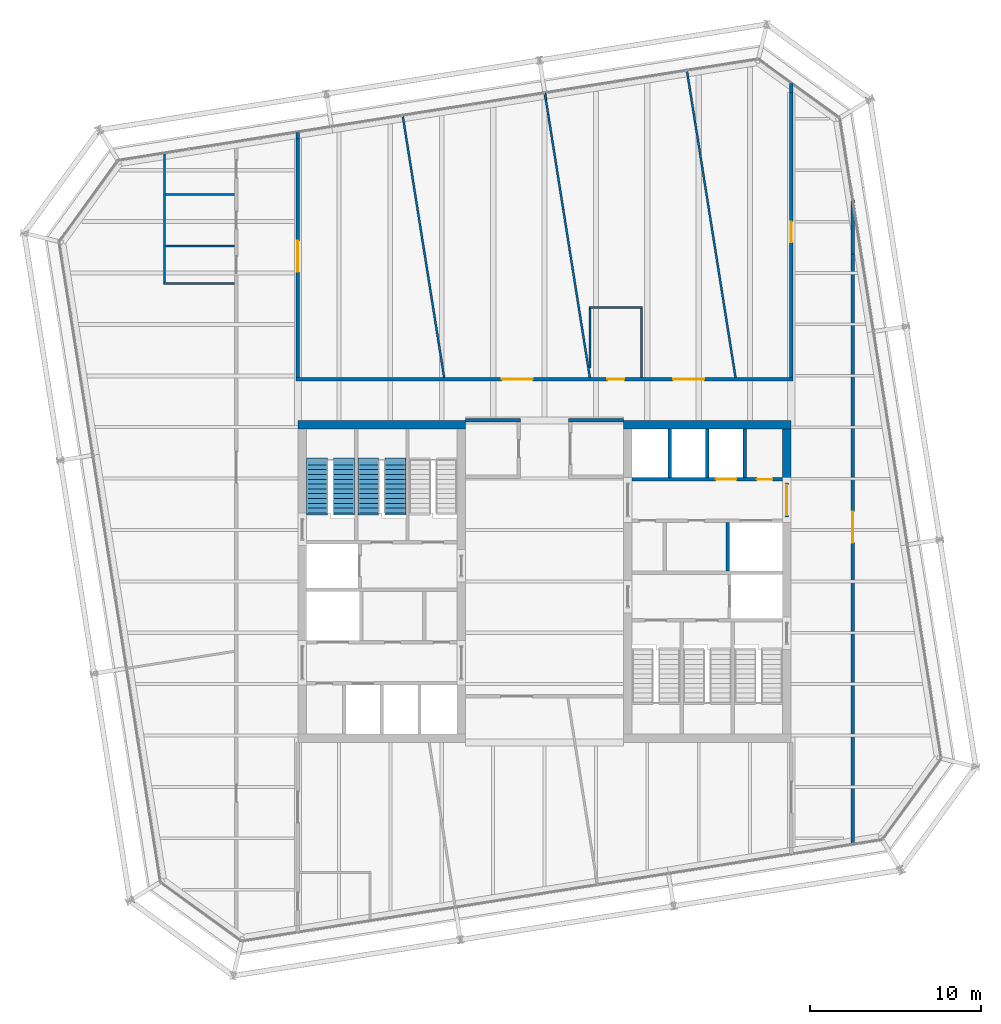
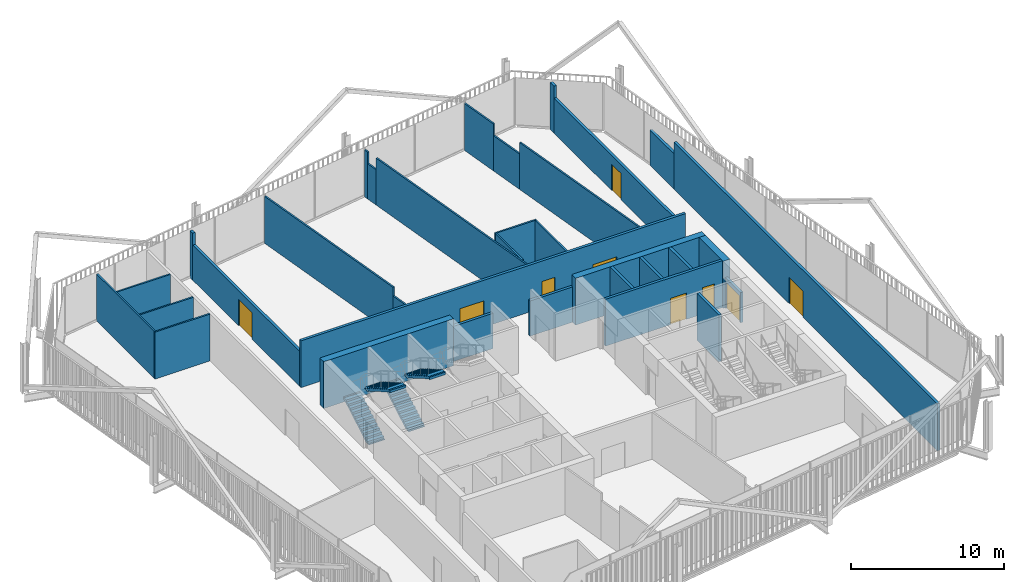
# One storey, part 19 of 21: 33 walls, 9 doors, 4 stair flights, 9 openings, 2 elements without a shape of their own.
"""IFC4 building model written with IfcOpenShell, lengths in metres."""

from ifc_helpers import new_model, si_unit, direction, frame, frame_2d, origin, place, context, subcontext, project, spatial, polyline, rectangle, outline, extrude, material, layer, layer_set, type_object, element, fill, aggregate, save


model = new_model("IFC4")

# Units and contexts
model_context = context("Model", 3, precision=1e-05, world=origin(), true_north=direction((0.0, 1.0)))
body_context = subcontext(model_context, "Body", "Model", "MODEL_VIEW")
ifc_project = project(units=[si_unit("LENGTHUNIT", "METRE"), si_unit("AREAUNIT", "SQUARE_METRE"), si_unit("VOLUMEUNIT", "CUBIC_METRE"), si_unit("PLANEANGLEUNIT", "RADIAN"), si_unit("MASSUNIT", "GRAM", prefix="KILO")], contexts=[model_context])

# Site, building, storey
site_placement = place(None, origin())
site = spatial("IfcSite", under=ifc_project, at=site_placement, CompositionType="ELEMENT")
building_placement = place(site_placement, origin())
building = spatial("IfcBuilding", under=site, at=building_placement, Name="Millrace Tower", CompositionType="ELEMENT")
storey_placement = place(building_placement, frame((0.0, 0.0, 247.39990234375)))
storey = spatial("IfcBuildingStorey", under=building, at=storey_placement, Name="L56", CompositionType="ELEMENT", Elevation=247.39990234375)

# Walls
ifc_material_1 = material(Name="Concrete C60", Category="concrete")
ifc_layer_1 = layer(ifc_material_1, 0.5)
ifc_layer_set_1 = layer_set([ifc_layer_1], Name="Concrete C60")
wall_type_1 = type_object("IfcWallType", Name="Core wall 500 Concrete C60", PredefinedType="SHEAR", material=ifc_layer_set_1)
for number, where, z_axis, x_axis, name in (
    (1, (-14.39990234375, 9.14990234375, 0.0), (0.0, 0.0, 1.0), (1.0, 0.0, 0.0), "Core wall W L56"),
    (2, (14.39990234375, 9.14990234375, 0.0), (0.0, 0.0, 1.0), (-1.0, 0.0, 0.0), "Core wall E L56"),
):
    element("IfcWall", number, at=place(storey_placement, frame(where, z_axis=z_axis, x_axis=x_axis)), inside=storey, type_object=wall_type_1, Name=name, PredefinedType="SHEAR", context=body_context, shape_type="SweptSolid", body=[
        extrude(rectangle(XDim=9.7998046875, YDim=0.5, at=frame_2d((4.89990234375, 0.0))), origin(), (0.0, 0.0, 1.0), 3.739990234375),
    ])
wall_1_placement = place(storey_placement, frame((14.14990234375, 8.89990234375, 0.0), z_axis=(0.0, 0.0, 1.0), x_axis=(0.0, -1.0, 0.0)))
element("IfcWall", 3, at=wall_1_placement, inside=storey, type_object=wall_type_1, Name="Core wall E L56", PredefinedType="SHEAR", context=body_context, shape_type="SweptSolid", body=[
    extrude(rectangle(XDim=3.14990234375, YDim=0.5, at=frame_2d((1.574951171875, 0.0))), origin(), (0.0, 0.0, 1.0), 3.739990234375),
])
ifc_material_2 = material(Name="Masonry partition, fire-rated", Category="masonry")
ifc_layer_2 = layer(ifc_material_2, 0.199951171875)
ifc_layer_set_2 = layer_set([ifc_layer_2], Name="Masonry partition, fire-rated")
wall_type_2 = type_object("IfcWallType", Name="Corridor wall 200", PredefinedType="PARTITIONING", material=ifc_layer_set_2)
for number, where, z_axis, x_axis, name in (
    (4, (-4.60009765625, 9.39990234375, 0.0), (0.0, 0.0, 1.0), (1.0, 0.0, 0.0), "Corridor wall L56"),
    (5, (1.39990234375, 9.39990234375, 0.0), (0.0, 0.0, 1.0), (1.0, 0.0, 0.0), "Corridor wall L56"),
):
    element("IfcWall", number, at=place(storey_placement, frame(where, z_axis=z_axis, x_axis=x_axis)), inside=storey, type_object=wall_type_2, Name=name, PredefinedType="PARTITIONING", context=body_context, shape_type="SweptSolid", body=[
        extrude(rectangle(XDim=3.2001953125, YDim=0.199951171875, at=frame_2d((1.60009765625, 0.0))), origin(), (0.0, 0.0, 1.0), 2.81298828125),
    ])

# Wall, openings, doors
wall_2_placement = place(storey_placement, frame((-14.5, 11.800048828125, 0.0), z_axis=(0.0, 0.0, 1.0), x_axis=(1.0, 0.0, 0.0)))
wall_2 = element("IfcWall", 6, at=wall_2_placement, inside=storey, type_object=wall_type_2, Name="Corridor wall L56", PredefinedType="PARTITIONING", context=body_context, shape_type="SweptSolid", body=[
    extrude(rectangle(XDim=29.0, YDim=0.199951171875, at=frame_2d((14.5, 0.0))), origin(), (0.0, 0.0, 1.0), 3.739990234375),
])
opening_1_placement = place(wall_2_placement, frame((12.009521484375, 0.0, 0.0)))
opening_1 = element("IfcOpeningElement", 7, at=opening_1_placement, cuts=wall_2, Name="Opening 56-P006", PredefinedType="OPENING", context=body_context, shape_type="SweptSolid", body=[
    extrude(rectangle(XDim=1.800048828125, YDim=2.10009765625, at=frame_2d((0.89990234375, 1.050048828125))), frame((0.0, 0.10986328125, 0.0), z_axis=(0.0, -1.0, 0.0), x_axis=(1.0, 0.0, 0.0)), (0.0, 0.0, 1.0), 0.219970703125),
])
opening_2_placement = place(wall_2_placement, frame((22.014404296875, 0.0, 0.0)))
opening_2 = element("IfcOpeningElement", 8, at=opening_2_placement, cuts=wall_2, Name="Opening 56-P007", PredefinedType="OPENING", context=body_context, shape_type="SweptSolid", body=[
    extrude(rectangle(XDim=1.800048828125, YDim=2.10009765625, at=frame_2d((0.89990234375, 1.050048828125))), frame((0.0, 0.10986328125, 0.0), z_axis=(0.0, -1.0, 0.0), x_axis=(1.0, 0.0, 0.0)), (0.0, 0.0, 1.0), 0.219970703125),
])
opening_3_placement = place(wall_2_placement, frame((18.162109375, 0.0, 0.0)))
opening_3 = element("IfcOpeningElement", 9, at=opening_3_placement, cuts=wall_2, Name="Opening 56-P008", PredefinedType="OPENING", context=body_context, shape_type="SweptSolid", body=[
    extrude(rectangle(XDim=1.0, YDim=2.10009765625, at=frame_2d((0.5, 1.050048828125))), frame((0.0, 0.10986328125, 0.0), z_axis=(0.0, -1.0, 0.0), x_axis=(1.0, 0.0, 0.0)), (0.0, 0.0, 1.0), 0.219970703125),
])
ifc_material_3 = material(Name="Steel door set, fire-rated", Category="steel")
door_type_1 = type_object("IfcDoorType", Name="Corridor door 1000 x 2100", OperationType="SINGLE_SWING_LEFT", PredefinedType="DOOR", material=ifc_material_3)
door_1_placement = place(opening_3_placement, origin())
door_1 = element("IfcDoor", 10, at=door_1_placement, inside=storey, type_object=door_type_1, Name="Door 56-P008", OperationType="SINGLE_SWING_RIGHT", OverallHeight=2.10009765625, OverallWidth=1.0, PredefinedType="DOOR", context=body_context, shape_type="SweptSolid", body=[
    extrude(rectangle(XDim=1.0, YDim=2.10009765625, at=frame_2d((0.5, 1.050048828125))), frame((0.0, 0.02490234375, 0.0), z_axis=(0.0, -1.0, 0.0), x_axis=(1.0, 0.0, 0.0)), (0.0, 0.0, 1.0), 0.050048828125),
])
fill(opening_3, door_1)
ifc_material_4 = material(Name="Steel door set, fire-rated", Category="steel")
door_type_2 = type_object("IfcDoorType", Name="Corridor door 1800 x 2100", OperationType="DOUBLE_DOOR_SINGLE_SWING", PredefinedType="DOOR", material=ifc_material_4)
door_2_placement = place(opening_1_placement, origin())
door_2 = element("IfcDoor", 11, at=door_2_placement, inside=storey, type_object=door_type_2, Name="Door 56-P006", OperationType="DOUBLE_DOOR_SINGLE_SWING", OverallHeight=2.10009765625, OverallWidth=1.800048828125, PredefinedType="DOOR", context=body_context, shape_type="SweptSolid", body=[
    extrude(rectangle(XDim=1.800048828125, YDim=2.10009765625, at=frame_2d((0.89990234375, 1.050048828125))), frame((0.0, 0.02490234375, 0.0), z_axis=(0.0, -1.0, 0.0), x_axis=(1.0, 0.0, 0.0)), (0.0, 0.0, 1.0), 0.050048828125),
])
fill(opening_1, door_2)
door_3_placement = place(opening_2_placement, origin())
door_3 = element("IfcDoor", 12, at=door_3_placement, inside=storey, type_object=door_type_2, Name="Door 56-P007", OperationType="DOUBLE_DOOR_SINGLE_SWING", OverallHeight=2.10009765625, OverallWidth=1.800048828125, PredefinedType="DOOR", context=body_context, shape_type="SweptSolid", body=[
    extrude(rectangle(XDim=1.800048828125, YDim=2.10009765625, at=frame_2d((0.89990234375, 1.050048828125))), frame((0.0, 0.02490234375, 0.0), z_axis=(0.0, -1.0, 0.0), x_axis=(1.0, 0.0, 0.0)), (0.0, 0.0, 1.0), 0.050048828125),
])
fill(opening_2, door_3)

# Wall, opening, door
wall_3_placement = place(storey_placement, frame((18.0, -15.304443359375, 0.0), z_axis=(0.0, 0.0, 1.0), x_axis=(0.0, 1.0, 0.0)))
wall_3 = element("IfcWall", 13, at=wall_3_placement, inside=storey, type_object=wall_type_2, Name="Corridor wall L56", PredefinedType="PARTITIONING", context=body_context, shape_type="SweptSolid", body=[
    extrude(rectangle(XDim=34.421630859375, YDim=0.199951171875, at=frame_2d((17.2109375, 0.0))), origin(), (0.0, 0.0, 1.0), 3.739990234375),
])
opening_4_placement = place(wall_3_placement, frame((17.56982421875, 0.0, 0.0)))
opening_4 = element("IfcOpeningElement", 14, at=opening_4_placement, cuts=wall_3, Name="Opening 56-P010", PredefinedType="OPENING", context=body_context, shape_type="SweptSolid", body=[
    extrude(rectangle(XDim=1.800048828125, YDim=2.10009765625, at=frame_2d((0.89990234375, 1.050048828125))), frame((0.0, 0.10986328125, 0.0), z_axis=(0.0, -1.0, 0.0), x_axis=(1.0, 0.0, 0.0)), (0.0, 0.0, 1.0), 0.219970703125),
])
door_4_placement = place(opening_4_placement, frame((1.800048828125, 0.0, 0.0), z_axis=(0.0, 0.0, 1.0), x_axis=(-1.0, 0.0, 0.0)))
door_4 = element("IfcDoor", 15, at=door_4_placement, inside=storey, type_object=door_type_2, Name="Door 56-P010", OperationType="DOUBLE_DOOR_SINGLE_SWING", OverallHeight=2.10009765625, OverallWidth=1.800048828125, PredefinedType="DOOR", context=body_context, shape_type="SweptSolid", body=[
    extrude(rectangle(XDim=1.800048828125, YDim=2.10009765625, at=frame_2d((0.89990234375, 1.050048828125))), frame((0.0, 0.02490234375, 0.0), z_axis=(0.0, -1.0, 0.0), x_axis=(1.0, 0.0, 0.0)), (0.0, 0.0, 1.0), 0.050048828125),
])
fill(opening_4, door_4)

# Wall
wall_4_placement = place(storey_placement, frame((18.0, 19.1171875, 0.0), z_axis=(0.0, 0.0, 1.0), x_axis=(0.0, 1.0, 0.0)))
element("IfcWall", 16, at=wall_4_placement, inside=storey, type_object=wall_type_2, Name="Corridor wall L56", PredefinedType="PARTITIONING", context=body_context, shape_type="SweptSolid", body=[
    extrude(rectangle(XDim=3.137451171875, YDim=0.199951171875, at=frame_2d((1.56884765625, 0.0))), origin(), (0.0, 0.0, 1.0), 2.81298828125),
])

# Wall, opening, door
wall_5_placement = place(storey_placement, frame((14.39990234375, 11.89990234375, 0.0), z_axis=(0.0, 0.0, 1.0), x_axis=(0.0, 1.0, 0.0)))
wall_5 = element("IfcWall", 17, at=wall_5_placement, inside=storey, type_object=wall_type_2, Name="Corridor wall L56", PredefinedType="PARTITIONING", context=body_context, shape_type="SweptSolid", body=[
    extrude(rectangle(XDim=16.640869140625, YDim=0.199951171875, at=frame_2d((8.3203125, 0.0))), origin(), (0.0, 0.0, 1.0), 2.792724609375),
])
opening_5_placement = place(wall_5_placement, frame((7.89794921875, 0.0, 0.0)))
opening_5 = element("IfcOpeningElement", 18, at=opening_5_placement, cuts=wall_5, Name="Opening 56-P009", PredefinedType="OPENING", context=body_context, shape_type="SweptSolid", body=[
    extrude(rectangle(XDim=1.199951171875, YDim=2.10009765625, at=frame_2d((0.60009765625, 1.050048828125))), frame((0.0, 0.10986328125, 0.0), z_axis=(0.0, -1.0, 0.0), x_axis=(1.0, 0.0, 0.0)), (0.0, 0.0, 1.0), 0.219970703125),
])
ifc_material_5 = material(Name="Steel door set, fire-rated", Category="steel")
door_type_3 = type_object("IfcDoorType", Name="Corridor door 1200 x 2100", OperationType="SINGLE_SWING_LEFT", PredefinedType="DOOR", material=ifc_material_5)
door_5_placement = place(opening_5_placement, origin())
door_5 = element("IfcDoor", 19, at=door_5_placement, inside=storey, type_object=door_type_3, Name="Door 56-P009", OperationType="SINGLE_SWING_LEFT", OverallHeight=2.10009765625, OverallWidth=1.199951171875, PredefinedType="DOOR", context=body_context, shape_type="SweptSolid", body=[
    extrude(rectangle(XDim=1.199951171875, YDim=2.10009765625, at=frame_2d((0.60009765625, 1.050048828125))), frame((0.0, 0.02490234375, 0.0), z_axis=(0.0, -1.0, 0.0), x_axis=(1.0, 0.0, 0.0)), (0.0, 0.0, 1.0), 0.050048828125),
])
fill(opening_5, door_5)

# Wall
wall_6_placement = place(storey_placement, frame((14.39990234375, 28.540771484375, 0.0), z_axis=(0.0, 0.0, 1.0), x_axis=(0.0, 1.0, 0.0)))
element("IfcWall", 20, at=wall_6_placement, inside=storey, type_object=wall_type_2, Name="Corridor wall L56", PredefinedType="PARTITIONING", context=body_context, shape_type="SweptSolid", body=[
    extrude(rectangle(XDim=0.51708984375, YDim=0.199951171875, at=frame_2d((0.258544921875, 0.0))), origin(), (0.0, 0.0, 1.0), 3.739990234375),
])

# Wall, opening, door
wall_7_placement = place(storey_placement, frame((-14.39990234375, 11.89990234375, 0.0), z_axis=(0.0, 0.0, 1.0), x_axis=(0.0, 1.0, 0.0)))
wall_7 = element("IfcWall", 21, at=wall_7_placement, inside=storey, type_object=wall_type_2, Name="Corridor wall L56", PredefinedType="PARTITIONING", context=body_context, shape_type="SweptSolid", body=[
    extrude(rectangle(XDim=13.94873046875, YDim=0.199951171875, at=frame_2d((6.974365234375, 0.0))), origin(), (0.0, 0.0, 1.0), 2.792724609375),
])
opening_6_placement = place(wall_7_placement, frame((6.174072265625, 0.0, 0.0)))
opening_6 = element("IfcOpeningElement", 22, at=opening_6_placement, cuts=wall_7, Name="Opening 56-P005", PredefinedType="OPENING", context=body_context, shape_type="SweptSolid", body=[
    extrude(rectangle(XDim=1.800048828125, YDim=2.10009765625, at=frame_2d((0.89990234375, 1.050048828125))), frame((0.0, 0.10986328125, 0.0), z_axis=(0.0, -1.0, 0.0), x_axis=(1.0, 0.0, 0.0)), (0.0, 0.0, 1.0), 0.219970703125),
])
door_6_placement = place(opening_6_placement, frame((1.800048828125, 0.0, 0.0), z_axis=(0.0, 0.0, 1.0), x_axis=(-1.0, 0.0, 0.0)))
door_6 = element("IfcDoor", 23, at=door_6_placement, inside=storey, type_object=door_type_2, Name="Door 56-P005", OperationType="DOUBLE_DOOR_SINGLE_SWING", OverallHeight=2.10009765625, OverallWidth=1.800048828125, PredefinedType="DOOR", context=body_context, shape_type="SweptSolid", body=[
    extrude(rectangle(XDim=1.800048828125, YDim=2.10009765625, at=frame_2d((0.89990234375, 1.050048828125))), frame((0.0, 0.02490234375, 0.0), z_axis=(0.0, -1.0, 0.0), x_axis=(1.0, 0.0, 0.0)), (0.0, 0.0, 1.0), 0.050048828125),
])
fill(opening_6, door_6)

# Wall
wall_8_placement = place(storey_placement, frame((-14.39990234375, 25.8486328125, 0.0), z_axis=(0.0, 0.0, 1.0), x_axis=(0.0, 1.0, 0.0)))
element("IfcWall", 24, at=wall_8_placement, inside=storey, type_object=wall_type_2, Name="Corridor wall L56", PredefinedType="PARTITIONING", context=body_context, shape_type="SweptSolid", body=[
    extrude(rectangle(XDim=0.349609375, YDim=0.199951171875, at=frame_2d((0.1748046875, 0.0))), origin(), (0.0, 0.0, 1.0), 3.739990234375),
])

# Wall, openings, doors
ifc_material_6 = material(Name="Masonry partition, fire-rated", Category="masonry")
ifc_layer_3 = layer(ifc_material_6, 0.199951171875)
ifc_layer_set_3 = layer_set([ifc_layer_3], Name="Masonry partition, fire-rated")
wall_type_3 = type_object("IfcWallType", Name="Lift shaft wall 200", PredefinedType="PARTITIONING", material=ifc_layer_set_3)
wall_9_placement = place(storey_placement, frame((13.89990234375, 5.949951171875, 0.0), z_axis=(0.0, 0.0, 1.0), x_axis=(-1.0, 0.0, 0.0)))
wall_9 = element("IfcWall", 25, at=wall_9_placement, inside=storey, type_object=wall_type_3, Name="Lift shaft wall E L56", PredefinedType="PARTITIONING", context=body_context, shape_type="SweptSolid", body=[
    extrude(rectangle(XDim=8.7998046875, YDim=0.199951171875, at=frame_2d((4.39990234375, 0.0))), origin(), (0.0, 0.0, 1.0), 3.739990234375),
])
opening_7_placement = place(wall_9_placement, frame((2.699951171875, 0.0, 0.0)))
opening_7 = element("IfcOpeningElement", 26, at=opening_7_placement, cuts=wall_9, Name="Opening 56-LD10", PredefinedType="OPENING", context=body_context, shape_type="SweptSolid", body=[
    extrude(rectangle(XDim=1.199951171875, YDim=2.10009765625, at=frame_2d((0.60009765625, 1.050048828125))), frame((0.0, 0.10986328125, 0.0), z_axis=(0.0, -1.0, 0.0), x_axis=(1.0, 0.0, 0.0)), (0.0, 0.0, 1.0), 0.219970703125),
])
opening_8_placement = place(wall_9_placement, frame((0.60009765625, 0.0, 0.0)))
opening_8 = element("IfcOpeningElement", 27, at=opening_8_placement, cuts=wall_9, Name="Opening 56-C014", PredefinedType="OPENING", context=body_context, shape_type="SweptSolid", body=[
    extrude(rectangle(XDim=0.89990234375, YDim=2.10009765625, at=frame_2d((0.449951171875, 1.050048828125))), frame((0.0, 0.10986328125, 0.0), z_axis=(0.0, -1.0, 0.0), x_axis=(1.0, 0.0, 0.0)), (0.0, 0.0, 1.0), 0.219970703125),
])
ifc_material_7 = material(Name="Stainless steel, fire-rated", Category="steel")
door_type_4 = type_object("IfcDoorType", Name="Lift landing door 1200 x 2100", OperationType="DOUBLE_DOOR_SLIDING", PredefinedType="DOOR", material=ifc_material_7)
door_7_placement = place(opening_7_placement, origin())
door_7 = element("IfcDoor", 28, at=door_7_placement, inside=storey, type_object=door_type_4, Name="Lift landing door LF10 L56", OperationType="DOUBLE_DOOR_SLIDING", OverallHeight=2.10009765625, OverallWidth=1.199951171875, PredefinedType="DOOR", context=body_context, shape_type="SweptSolid", body=[
    extrude(rectangle(XDim=1.199951171875, YDim=2.10009765625, at=frame_2d((0.60009765625, 1.050048828125))), frame((0.0, 0.02490234375, 0.0), z_axis=(0.0, -1.0, 0.0), x_axis=(1.0, 0.0, 0.0)), (0.0, 0.0, 1.0), 0.050048828125),
])
fill(opening_7, door_7)
ifc_material_8 = material(Name="Steel door, fire-rated", Category="steel")
door_type_5 = type_object("IfcDoorType", Name="Service room door 900 x 2100", OperationType="SINGLE_SWING_LEFT", PredefinedType="DOOR", material=ifc_material_8)
door_8_placement = place(opening_8_placement, frame((0.89990234375, 0.0, 0.0), z_axis=(0.0, 0.0, 1.0), x_axis=(-1.0, 0.0, 0.0)))
door_8 = element("IfcDoor", 29, at=door_8_placement, inside=storey, type_object=door_type_5, Name="Service room door 56-C014", OperationType="SINGLE_SWING_RIGHT", OverallHeight=2.10009765625, OverallWidth=0.89990234375, PredefinedType="DOOR", context=body_context, shape_type="SweptSolid", body=[
    extrude(rectangle(XDim=0.89990234375, YDim=2.10009765625, at=frame_2d((0.449951171875, 1.050048828125))), frame((0.0, 0.02490234375, 0.0), z_axis=(0.0, -1.0, 0.0), x_axis=(1.0, 0.0, 0.0)), (0.0, 0.0, 1.0), 0.050048828125),
])
fill(opening_8, door_8)

# Walls
for number, where, z_axis, x_axis, name in (
    (30, (11.699951171875, 8.89990234375, 0.0), (0.0, 0.0, 1.0), (0.0, -1.0, 0.0), "Lift shaft wall E L56"),
    (31, (9.5, 8.89990234375, 0.0), (0.0, 0.0, 1.0), (0.0, -1.0, 0.0), "Lift shaft wall E L56"),
    (32, (7.300048828125, 8.89990234375, 0.0), (0.0, 0.0, 1.0), (0.0, -1.0, 0.0), "Lift shaft wall E L56"),
    (33, (10.699951171875, 3.449951171875, 0.0), (0.0, 0.0, 1.0), (0.0, -1.0, 0.0), "Lift shaft wall E L56"),
):
    element("IfcWall", number, at=place(storey_placement, frame(where, z_axis=z_axis, x_axis=x_axis)), inside=storey, type_object=wall_type_3, Name=name, PredefinedType="PARTITIONING", context=body_context, shape_type="SweptSolid", body=[
        extrude(rectangle(XDim=2.849853515625, YDim=0.199951171875, at=frame_2d((1.4248046875, 0.0))), origin(), (0.0, 0.0, 1.0), 3.739990234375),
    ])

# Wall, opening, door
ifc_material_9 = material(Name="Masonry partition, fire-rated", Category="masonry")
ifc_layer_4 = layer(ifc_material_9, 0.199951171875)
ifc_layer_set_4 = layer_set([ifc_layer_4], Name="Masonry partition, fire-rated")
wall_type_4 = type_object("IfcWallType", Name="Lobby wall 200", PredefinedType="PARTITIONING", material=ifc_layer_set_4)
wall_10_placement = place(storey_placement, frame((14.14990234375, 5.75, 0.0), z_axis=(0.0, 0.0, 1.0), x_axis=(0.0, -1.0, 0.0)))
wall_10 = element("IfcWall", 34, at=wall_10_placement, inside=storey, type_object=wall_type_4, Name="Lobby wall E L56", PredefinedType="PARTITIONING", context=body_context, shape_type="SweptSolid", body=[
    extrude(rectangle(XDim=2.0, YDim=0.199951171875, at=frame_2d((1.0, 0.0))), origin(), (0.0, 0.0, 1.0), 2.400146484375),
])
opening_9_placement = place(wall_10_placement, frame((0.10009765625, 0.0, 0.0)))
opening_9 = element("IfcOpeningElement", 35, at=opening_9_placement, cuts=wall_10, Name="Opening 56-C010", PredefinedType="OPENING", context=body_context, shape_type="SweptSolid", body=[
    extrude(rectangle(XDim=1.800048828125, YDim=2.10009765625, at=frame_2d((0.89990234375, 1.050048828125))), frame((0.0, 0.10986328125, 0.0), z_axis=(0.0, -1.0, 0.0), x_axis=(1.0, 0.0, 0.0)), (0.0, 0.0, 1.0), 0.219970703125),
])
ifc_material_10 = material(Name="Steel door, fire-rated", Category="steel")
door_type_6 = type_object("IfcDoorType", Name="Lobby door 1800 x 2100", OperationType="DOUBLE_DOOR_SINGLE_SWING", PredefinedType="DOOR", material=ifc_material_10)
door_9_placement = place(opening_9_placement, origin())
door_9 = element("IfcDoor", 36, at=door_9_placement, inside=storey, type_object=door_type_6, Name="Lobby door 56-C010", OperationType="DOUBLE_DOOR_SINGLE_SWING", OverallHeight=2.10009765625, OverallWidth=1.800048828125, PredefinedType="DOOR", context=body_context, shape_type="SweptSolid", body=[
    extrude(rectangle(XDim=1.800048828125, YDim=2.10009765625, at=frame_2d((0.89990234375, 1.050048828125))), frame((0.0, 0.02490234375, 0.0), z_axis=(0.0, -1.0, 0.0), x_axis=(1.0, 0.0, 0.0)), (0.0, 0.0, 1.0), 0.050048828125),
])
fill(opening_9, door_9)

# Walls
ifc_material_11 = material(Name="Gypsum board partition")
ifc_layer_5 = layer(ifc_material_11, 0.1201171875)
ifc_layer_set_5 = layer_set([ifc_layer_5], Name="Gypsum board partition")
wall_type_5 = type_object("IfcWallType", Name="Partition wall 120", PredefinedType="PARTITIONING", material=ifc_layer_set_5)
wall_11_placement = place(storey_placement, frame((-8.27685546875, 27.16796875, 0.0), z_axis=(0.0, 0.0, 1.0), x_axis=(0.156426233908, -0.987689644243, 0.0)))
element("IfcWall", 37, at=wall_11_placement, inside=storey, type_object=wall_type_5, Name="Partition wall L56", PredefinedType="PARTITIONING", context=body_context, shape_type="SweptSolid", body=[
    extrude(rectangle(XDim=13.356689453125, YDim=0.1201171875, at=frame_2d((6.67822265625, 0.0))), origin(), (0.0, 0.0, 1.0), 3.739990234375),
])
wall_12_placement = place(storey_placement, frame((-6.1875, 13.9755859375, 0.0), z_axis=(0.0, 0.0, 1.0), x_axis=(0.15639182904, -0.987695092531, 0.0)))
element("IfcWall", 38, at=wall_12_placement, inside=storey, type_object=wall_type_5, Name="Partition wall L56", PredefinedType="PARTITIONING", context=body_context, shape_type="SweptSolid", body=[
    extrude(rectangle(XDim=2.102783203125, YDim=0.1201171875, at=frame_2d((1.05126953125, 0.0))), origin(), (0.0, 0.0, 1.0), 3.046630859375),
])
wall_13_placement = place(storey_placement, frame((0.020263671875, 28.482177734375, 0.0), z_axis=(0.0, 0.0, 1.0), x_axis=(0.155999489422, -0.987757135788, 0.0)))
element("IfcWall", 39, at=wall_13_placement, inside=storey, type_object=wall_type_5, Name="Partition wall L56", PredefinedType="PARTITIONING", context=body_context, shape_type="SweptSolid", body=[
    extrude(rectangle(XDim=0.339599609375, YDim=0.1201171875, at=frame_2d((0.169921875, 0.0))), origin(), (0.0, 0.0, 1.0), 3.739990234375),
])
wall_14_placement = place(storey_placement, frame((0.0732421875, 28.146728515625, 0.0), z_axis=(0.0, 0.0, 1.0), x_axis=(0.156454153155, -0.987685222103, 0.0)))
element("IfcWall", 40, at=wall_14_placement, inside=storey, type_object=wall_type_5, Name="Partition wall L56", PredefinedType="PARTITIONING", context=body_context, shape_type="SweptSolid", body=[
    extrude(rectangle(XDim=0.892578125, YDim=0.1201171875, at=frame_2d((0.4462890625, 0.0))), origin(), (0.0, 0.0, 1.0), 2.81298828125),
])
wall_15_placement = place(storey_placement, frame((0.212890625, 27.26513671875, 0.0), z_axis=(0.0, 0.0, 1.0), x_axis=(0.156405760939, -0.987692886451, 0.0)))
element("IfcWall", 41, at=wall_15_placement, inside=storey, type_object=wall_type_5, Name="Partition wall L56", PredefinedType="PARTITIONING", context=body_context, shape_type="SweptSolid", body=[
    extrude(rectangle(XDim=15.557861328125, YDim=0.1201171875, at=frame_2d((7.77880859375, 0.0))), origin(), (0.0, 0.0, 1.0), 3.739990234375),
])
wall_16_placement = place(storey_placement, frame((8.316162109375, 29.796142578125, 0.0), z_axis=(0.0, 0.0, 1.0), x_axis=(0.156487443133, -0.987679948233, 0.0)))
element("IfcWall", 42, at=wall_16_placement, inside=storey, type_object=wall_type_5, Name="Partition wall L56", PredefinedType="PARTITIONING", context=body_context, shape_type="SweptSolid", body=[
    extrude(rectangle(XDim=3.009521484375, YDim=0.1201171875, at=frame_2d((1.5048828125, 0.0))), origin(), (0.0, 0.0, 1.0), 3.739990234375),
])
wall_17_placement = place(storey_placement, frame((8.787109375, 26.82373046875, 0.0), z_axis=(0.0, 0.0, 1.0), x_axis=(0.156436996348, -0.987687939672, 0.0)))
element("IfcWall", 43, at=wall_17_placement, inside=storey, type_object=wall_type_5, Name="Partition wall L56", PredefinedType="PARTITIONING", context=body_context, shape_type="SweptSolid", body=[
    extrude(rectangle(XDim=2.7216796875, YDim=0.1201171875, at=frame_2d((1.36083984375, 0.0))), origin(), (0.0, 0.0, 1.0), 2.81298828125),
])
wall_18_placement = place(storey_placement, frame((9.212890625, 24.135498046875, 0.0), z_axis=(0.0, 0.0, 1.0), x_axis=(0.156462436553, -0.987683909937, 0.0)))
element("IfcWall", 44, at=wall_18_placement, inside=storey, type_object=wall_type_5, Name="Partition wall L56", PredefinedType="PARTITIONING", context=body_context, shape_type="SweptSolid", body=[
    extrude(rectangle(XDim=12.389404296875, YDim=0.1201171875, at=frame_2d((6.19482421875, 0.0))), origin(), (0.0, 0.0, 1.0), 3.739990234375),
])
wall_19_placement = place(storey_placement, frame((2.60205078125, 16.0, 0.0), z_axis=(0.0, 0.0, 1.0), x_axis=(1.0, 0.0, 0.0)))
element("IfcWall", 45, at=wall_19_placement, inside=storey, type_object=wall_type_5, Name="Partition wall L56", PredefinedType="PARTITIONING", context=body_context, shape_type="SweptSolid", body=[
    extrude(rectangle(XDim=3.119873046875, YDim=0.1201171875, at=frame_2d((1.56005859375, 0.0))), origin(), (0.0, 0.0, 1.0), 3.739990234375),
])
wall_20_placement = place(storey_placement, frame((-22.260009765625, 17.376953125, 0.0), z_axis=(0.0, 0.0, 1.0), x_axis=(1.0, 0.0, 0.0)))
element("IfcWall", 46, at=wall_20_placement, inside=storey, type_object=wall_type_5, Name="Partition wall L56", PredefinedType="PARTITIONING", context=body_context, shape_type="SweptSolid", body=[
    extrude(rectangle(XDim=4.159912109375, YDim=0.1201171875, at=frame_2d((2.080078125, 0.0))), origin(), (0.0, 0.0, 1.0), 3.739990234375),
])
for number, where, z_axis, x_axis, name in (
    (47, (-22.139892578125, 19.576904296875, 0.0), (0.0, 0.0, 1.0), (1.0, 0.0, 0.0), "Partition wall L56"),
    (48, (-22.139892578125, 22.576904296875, 0.0), (0.0, 0.0, 1.0), (1.0, 0.0, 0.0), "Partition wall L56"),
):
    element("IfcWall", number, at=place(storey_placement, frame(where, z_axis=z_axis, x_axis=x_axis)), inside=storey, type_object=wall_type_5, Name=name, PredefinedType="PARTITIONING", context=body_context, shape_type="SweptSolid", body=[
        extrude(rectangle(XDim=4.039794921875, YDim=0.1201171875, at=frame_2d((2.02001953125, 0.0))), origin(), (0.0, 0.0, 1.0), 3.739990234375),
    ])
wall_21_placement = place(storey_placement, frame((5.662109375, 11.89990234375, 0.0), z_axis=(0.0, 0.0, 1.0), x_axis=(0.0, 1.0, 0.0)))
element("IfcWall", 49, at=wall_21_placement, inside=storey, type_object=wall_type_5, Name="Partition wall L56", PredefinedType="PARTITIONING", context=body_context, shape_type="SweptSolid", body=[
    extrude(rectangle(XDim=4.0400390625, YDim=0.1201171875, at=frame_2d((2.02001953125, 0.0))), origin(), (0.0, 0.0, 1.0), 3.739990234375),
])
wall_22_placement = place(storey_placement, frame((2.662109375, 12.4677734375, 0.0), z_axis=(0.0, 0.0, 1.0), x_axis=(0.0, 1.0, 0.0)))
element("IfcWall", 50, at=wall_22_placement, inside=storey, type_object=wall_type_5, Name="Partition wall L56", PredefinedType="PARTITIONING", context=body_context, shape_type="SweptSolid", body=[
    extrude(rectangle(XDim=3.47216796875, YDim=0.1201171875, at=frame_2d((1.736083984375, 0.0))), origin(), (0.0, 0.0, 1.0), 3.739990234375),
])
wall_23_placement = place(storey_placement, frame((-22.199951171875, 17.43701171875, 0.0), z_axis=(0.0, 0.0, 1.0), x_axis=(0.0, 1.0, 0.0)))
element("IfcWall", 51, at=wall_23_placement, inside=storey, type_object=wall_type_5, Name="Partition wall L56", PredefinedType="PARTITIONING", context=body_context, shape_type="SweptSolid", body=[
    extrude(rectangle(XDim=7.525634765625, YDim=0.1201171875, at=frame_2d((3.7626953125, 0.0))), origin(), (0.0, 0.0, 1.0), 3.739990234375),
])

# Stair, stair flights
ifc_material_12 = material(Name="Concrete C35", Category="concrete")
stair_type = type_object("IfcStairType", Name="Exit stair", PredefinedType="HALF_TURN_STAIR", material=ifc_material_12)
placement = place(storey_placement, origin())
stair_1 = element("IfcStair", 52, at=placement, inside=storey, type_object=stair_type, Name="Stair 1 W L56", PredefinedType="HALF_TURN_STAIR")
ifc_material_13 = material(Name="Concrete C35", Category="concrete")
stair_flight_type = type_object("IfcStairFlightType", Name="Exit stair flight", PredefinedType="STRAIGHT", material=ifc_material_13)
stair_flight_1_placement = place(storey_placement, frame((-13.2900390625, 4.0, 0.0), z_axis=(0.0, 0.0, 1.0), x_axis=(0.0, 1.0, 0.0)))
stair_flight_1 = element("IfcStairFlight", 53, at=stair_flight_1_placement, type_object=stair_flight_type, Name="ST12 flight 1", NumberOfRisers=12, NumberOfTreads=11, PredefinedType="STRAIGHT", RiserHeight=0.1625, TreadLength=0.28, context=body_context, shape_type="SweptSolid", body=[
    extrude(outline(polyline([(-0.1201171875, -0.0400390625), (-0.1201171875, 0.0), (0.0, 0.0), (0.0, 0.16259765625), (0.280029296875, 0.16259765625), (0.280029296875, 0.324951171875), (0.56005859375, 0.324951171875), (0.56005859375, 0.487548828125), (0.840087890625, 0.487548828125), (0.840087890625, 0.64990234375), (1.1201171875, 0.64990234375), (1.1201171875, 0.8125), (1.39990234375, 0.8125), (1.39990234375, 0.97509765625), (1.679931640625, 0.97509765625), (1.679931640625, 1.137451171875), (1.9599609375, 1.137451171875), (1.9599609375, 1.300048828125), (2.239990234375, 1.300048828125), (2.239990234375, 1.46240234375), (2.52001953125, 1.46240234375), (2.52001953125, 1.625), (2.800048828125, 1.625), (2.800048828125, 1.78759765625), (3.080078125, 1.78759765625), (3.080078125, 1.8076171875), (3.199951171875, 1.8076171875), (3.199951171875, 1.6142578125), (3.080078125, 1.6142578125), (0.298583984375, 0.0), (0.298583984375, -0.0400390625), (-0.1201171875, -0.0400390625)])), frame((0.0, 0.60986328125, 0.0), z_axis=(0.0, -1.0, 0.0), x_axis=(1.0, 0.0, 0.0)), (0.0, 0.0, 1.0), 1.219970703125),
])
stair_flight_2_placement = place(storey_placement, frame((-11.7099609375, 7.080078125, 1.9501953125), z_axis=(0.0, 0.0, 1.0), x_axis=(0.0, -1.0, 0.0)))
stair_flight_2 = element("IfcStairFlight", 54, at=stair_flight_2_placement, type_object=stair_flight_type, Name="ST12 flight 2", NumberOfRisers=12, NumberOfTreads=11, PredefinedType="STRAIGHT", RiserHeight=0.1625, TreadLength=0.28, context=body_context, shape_type="SweptSolid", body=[
    extrude(outline(polyline([(-0.1201171875, -0.0400390625), (-0.1201171875, 0.0), (0.0, 0.0), (0.0, 0.16259765625), (0.280029296875, 0.16259765625), (0.280029296875, 0.324951171875), (0.56005859375, 0.324951171875), (0.56005859375, 0.487548828125), (0.840087890625, 0.487548828125), (0.840087890625, 0.64990234375), (1.1201171875, 0.64990234375), (1.1201171875, 0.8125), (1.39990234375, 0.8125), (1.39990234375, 0.97509765625), (1.679931640625, 0.97509765625), (1.679931640625, 1.137451171875), (1.9599609375, 1.137451171875), (1.9599609375, 1.300048828125), (2.239990234375, 1.300048828125), (2.239990234375, 1.46240234375), (2.52001953125, 1.46240234375), (2.52001953125, 1.625), (2.800048828125, 1.625), (2.800048828125, 1.78759765625), (3.080078125, 1.78759765625), (3.080078125, 1.8076171875), (3.199951171875, 1.8076171875), (3.199951171875, 1.6142578125), (3.080078125, 1.6142578125), (0.298583984375, 0.0), (0.298583984375, -0.0400390625), (-0.1201171875, -0.0400390625)])), frame((0.0, 0.60986328125, 0.0), z_axis=(0.0, -1.0, 0.0), x_axis=(1.0, 0.0, 0.0)), (0.0, 0.0, 1.0), 1.219970703125),
])
aggregate(stair_1, [stair_flight_1, stair_flight_2])

stair_2 = element("IfcStair", 55, at=placement, inside=storey, type_object=stair_type, Name="Stair 2 W L56", PredefinedType="HALF_TURN_STAIR")
stair_flight_3_placement = place(storey_placement, frame((-10.2900390625, 4.0, 0.0), z_axis=(0.0, 0.0, 1.0), x_axis=(0.0, 1.0, 0.0)))
stair_flight_3 = element("IfcStairFlight", 56, at=stair_flight_3_placement, type_object=stair_flight_type, Name="ST12 flight 1", NumberOfRisers=12, NumberOfTreads=11, PredefinedType="STRAIGHT", RiserHeight=0.1625, TreadLength=0.28, context=body_context, shape_type="SweptSolid", body=[
    extrude(outline(polyline([(-0.1201171875, -0.0400390625), (-0.1201171875, 0.0), (0.0, 0.0), (0.0, 0.16259765625), (0.280029296875, 0.16259765625), (0.280029296875, 0.324951171875), (0.56005859375, 0.324951171875), (0.56005859375, 0.487548828125), (0.840087890625, 0.487548828125), (0.840087890625, 0.64990234375), (1.1201171875, 0.64990234375), (1.1201171875, 0.8125), (1.39990234375, 0.8125), (1.39990234375, 0.97509765625), (1.679931640625, 0.97509765625), (1.679931640625, 1.137451171875), (1.9599609375, 1.137451171875), (1.9599609375, 1.300048828125), (2.239990234375, 1.300048828125), (2.239990234375, 1.46240234375), (2.52001953125, 1.46240234375), (2.52001953125, 1.625), (2.800048828125, 1.625), (2.800048828125, 1.78759765625), (3.080078125, 1.78759765625), (3.080078125, 1.8076171875), (3.199951171875, 1.8076171875), (3.199951171875, 1.6142578125), (3.080078125, 1.6142578125), (0.298583984375, 0.0), (0.298583984375, -0.0400390625), (-0.1201171875, -0.0400390625)])), frame((0.0, 0.60986328125, 0.0), z_axis=(0.0, -1.0, 0.0), x_axis=(1.0, 0.0, 0.0)), (0.0, 0.0, 1.0), 1.219970703125),
])
stair_flight_4_placement = place(storey_placement, frame((-8.7099609375, 7.080078125, 1.9501953125), z_axis=(0.0, 0.0, 1.0), x_axis=(0.0, -1.0, 0.0)))
stair_flight_4 = element("IfcStairFlight", 57, at=stair_flight_4_placement, type_object=stair_flight_type, Name="ST12 flight 2", NumberOfRisers=12, NumberOfTreads=11, PredefinedType="STRAIGHT", RiserHeight=0.1625, TreadLength=0.28, context=body_context, shape_type="SweptSolid", body=[
    extrude(outline(polyline([(-0.1201171875, -0.0400390625), (-0.1201171875, 0.0), (0.0, 0.0), (0.0, 0.16259765625), (0.280029296875, 0.16259765625), (0.280029296875, 0.324951171875), (0.56005859375, 0.324951171875), (0.56005859375, 0.487548828125), (0.840087890625, 0.487548828125), (0.840087890625, 0.64990234375), (1.1201171875, 0.64990234375), (1.1201171875, 0.8125), (1.39990234375, 0.8125), (1.39990234375, 0.97509765625), (1.679931640625, 0.97509765625), (1.679931640625, 1.137451171875), (1.9599609375, 1.137451171875), (1.9599609375, 1.300048828125), (2.239990234375, 1.300048828125), (2.239990234375, 1.46240234375), (2.52001953125, 1.46240234375), (2.52001953125, 1.625), (2.800048828125, 1.625), (2.800048828125, 1.78759765625), (3.080078125, 1.78759765625), (3.080078125, 1.8076171875), (3.199951171875, 1.8076171875), (3.199951171875, 1.6142578125), (3.080078125, 1.6142578125), (0.298583984375, 0.0), (0.298583984375, -0.0400390625), (-0.1201171875, -0.0400390625)])), frame((0.0, 0.60986328125, 0.0), z_axis=(0.0, -1.0, 0.0), x_axis=(1.0, 0.0, 0.0)), (0.0, 0.0, 1.0), 1.219970703125),
])
aggregate(stair_2, [stair_flight_3, stair_flight_4])

save(model, "model.ifc")
